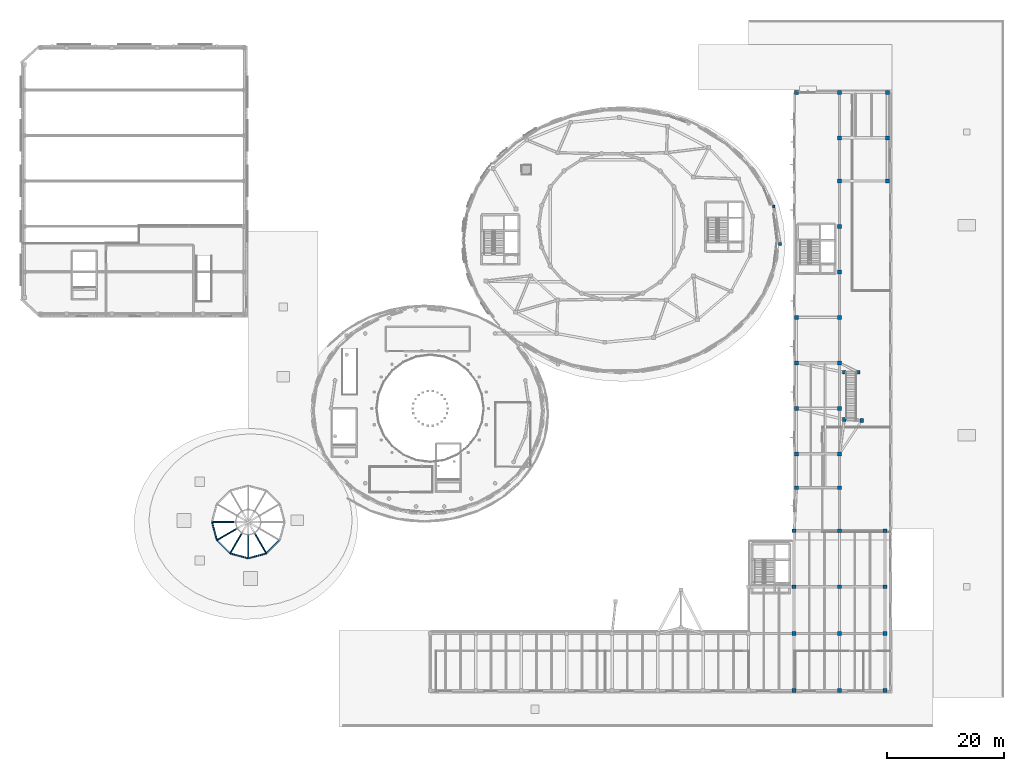
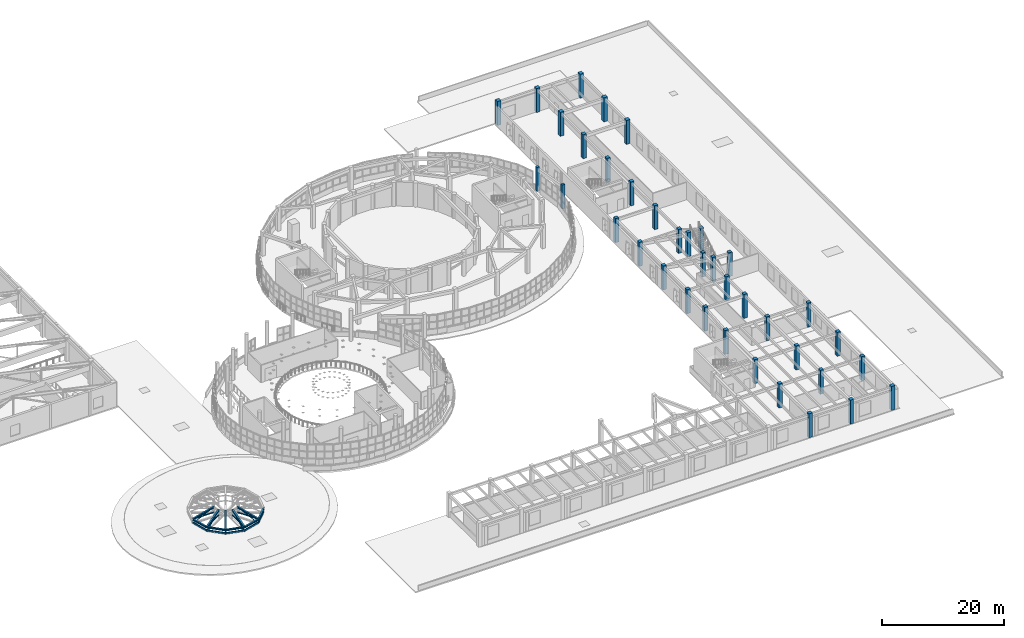
# One storey, part 2 of 105: 37 columns, 15 beams, 10 members.
"""IFC4 building model written with IfcOpenShell, lengths in metres."""

from ifc_helpers import new_model, si_unit, direction, frame, origin, origin_2d, place, context, subcontext, project, spatial, rectangle, hollow_rectangle, hollow_circle, i_section, extrude, material, material_profile, profile_set, type_object, element, save


model = new_model("IFC4")

# Units and contexts
model_context = context("Model", 3, precision=1e-05, world=origin(), true_north=direction((0.0, 1.0)))
body_context = subcontext(model_context, "Body", "Model", "MODEL_VIEW")
ifc_project = project(units=[si_unit("LENGTHUNIT", "METRE"), si_unit("AREAUNIT", "SQUARE_METRE"), si_unit("VOLUMEUNIT", "CUBIC_METRE"), si_unit("PLANEANGLEUNIT", "RADIAN"), si_unit("MASSUNIT", "GRAM", prefix="KILO")], contexts=[model_context])

# Site, building, storey
site_placement = place(None, origin())
site = spatial("IfcSite", under=ifc_project, at=site_placement, CompositionType="ELEMENT")
building_placement = place(site_placement, origin())
building = spatial("IfcBuilding", under=site, at=building_placement, Name="Pelvatis Terrace Science Centre", CompositionType="ELEMENT")
storey_placement = place(building_placement, frame((0.0, 0.0, 10.199951171875)))
storey = spatial("IfcBuildingStorey", under=building, at=storey_placement, Name="L02", CompositionType="ELEMENT", Elevation=10.199951171875)

# Columns
ifc_material_1 = material(Name="Concrete C40/50", Category="concrete")
ifc_material_profile_1 = material_profile(ifc_material_1, rectangle(XDim=0.5, YDim=0.5, at=origin_2d()), Name="RC-COL 500x500")
ifc_profile_set_1 = profile_set([ifc_material_profile_1], Name="Concrete C40/50")
column_type_1 = type_object("IfcColumnType", Name="COL-RC-500x500", PredefinedType="COLUMN", material=ifc_profile_set_1)
for number, where, z_axis, x_axis, name in (
    (1, (138.0, 82.800048828125, 0.0), (0.0, 0.0, 1.0), (1.0, 0.0, 0.0), "Column V1E-ST-01 (L02)"),
    (2, (136.910400390625, 89.1953125, 0.0), (0.0, 0.0, 1.0), (1.0, 0.0, 0.0), "Column V1E-ST-02 (L02)"),
):
    element("IfcColumn", number, at=place(storey_placement, frame(where, z_axis=z_axis, x_axis=x_axis)), inside=storey, type_object=column_type_1, Name=name, PredefinedType="COLUMN", context=body_context, shape_type="SweptSolid", body=[
        extrude(rectangle(XDim=0.5, YDim=0.5, at=origin_2d()), origin(), (0.0, 0.0, 1.0), 4.800048828125),
    ])
ifc_material_2 = material(Name="Concrete C40/50", Category="concrete")
ifc_material_profile_2 = material_profile(ifc_material_2, rectangle(XDim=0.64990234375, YDim=0.64990234375, at=origin_2d()), Name="RC-COL 650x650")
ifc_profile_set_2 = profile_set([ifc_material_profile_2], Name="Concrete C40/50")
column_type_2 = type_object("IfcColumnType", Name="COL-RC-650x650", PredefinedType="COLUMN", material=ifc_profile_set_2)
for number, where, z_axis, x_axis, name in (
    (3, (140.39990234375, 6.199951171875, 0.0), (0.0, 0.0, 1.0), (1.0, 0.0, 0.0), "Column V5G-S-11-2 (L02)"),
    (4, (140.39990234375, 16.0, 0.0), (0.0, 0.0, 1.0), (1.0, 0.0, 0.0), "Column V5G-S-11-3 (L02)"),
    (5, (140.39990234375, 24.0, 0.0), (0.0, 0.0, 1.0), (1.0, 0.0, 0.0), "Column V5G-S-11-4 (L02)"),
    (6, (140.39990234375, 33.60009765625, 0.0), (0.0, 0.0, 1.0), (1.0, 0.0, 0.0), "Column V5G-S-11-5 (L02)"),
    (7, (148.199951171875, 6.199951171875, 0.0), (0.0, 0.0, 1.0), (1.0, 0.0, 0.0), "Column V5G-S-12-2 (L02)"),
    (8, (148.199951171875, 16.0, 0.0), (0.0, 0.0, 1.0), (1.0, 0.0, 0.0), "Column V5G-S-12-3 (L02)"),
    (9, (148.199951171875, 24.0, 0.0), (0.0, 0.0, 1.0), (1.0, 0.0, 0.0), "Column V5G-S-12-4 (L02)"),
    (10, (148.199951171875, 33.60009765625, 0.0), (0.0, 0.0, 1.0), (1.0, 0.0, 0.0), "Column V5G-S-12-5 (L02)"),
    (11, (156.0, 6.199951171875, 0.0), (0.0, 0.0, 1.0), (1.0, 0.0, 0.0), "Column V5G-S-13-2 (L02)"),
    (12, (156.0, 16.0, 0.0), (0.0, 0.0, 1.0), (1.0, 0.0, 0.0), "Column V5G-S-13-3 (L02)"),
    (13, (156.0, 24.0, 0.0), (0.0, 0.0, 1.0), (1.0, 0.0, 0.0), "Column V5G-S-13-4 (L02)"),
    (14, (156.0, 33.60009765625, 0.0), (0.0, 0.0, 1.0), (1.0, 0.0, 0.0), "Column V5G-S-13-5 (L02)"),
    (15, (140.800048828125, 41.0, 0.0), (0.0, 0.0, 1.0), (1.0, 0.0, 0.0), "Column V5G-E-2-1 (L02)"),
    (16, (140.800048828125, 46.800048828125, 0.0), (0.0, 0.0, 1.0), (1.0, 0.0, 0.0), "Column V5G-E-2-2 (L02)"),
    (17, (140.800048828125, 54.60009765625, 0.0), (0.0, 0.0, 1.0), (1.0, 0.0, 0.0), "Column V5G-E-2-3 (L02)"),
    (18, (140.800048828125, 62.39990234375, 0.0), (0.0, 0.0, 1.0), (1.0, 0.0, 0.0), "Column V5G-E-2-4 (L02)"),
    (19, (140.800048828125, 70.199951171875, 0.0), (0.0, 0.0, 1.0), (1.0, 0.0, 0.0), "Column V5G-E-2-5 (L02)"),
    (20, (148.199951171875, 41.0, 0.0), (0.0, 0.0, 1.0), (1.0, 0.0, 0.0), "Column V5G-E-3-1 (L02)"),
    (21, (148.199951171875, 46.800048828125, 0.0), (0.0, 0.0, 1.0), (1.0, 0.0, 0.0), "Column V5G-E-3-2 (L02)"),
    (22, (148.199951171875, 54.60009765625, 0.0), (0.0, 0.0, 1.0), (1.0, 0.0, 0.0), "Column V5G-E-3-3 (L02)"),
    (23, (148.199951171875, 62.39990234375, 0.0), (0.0, 0.0, 1.0), (1.0, 0.0, 0.0), "Column V5G-E-3-4 (L02)"),
    (24, (148.199951171875, 70.199951171875, 0.0), (0.0, 0.0, 1.0), (1.0, 0.0, 0.0), "Column V5G-E-3-5 (L02)"),
    (25, (148.199951171875, 78.0, 0.0), (0.0, 0.0, 1.0), (1.0, 0.0, 0.0), "Column V5G-E-3-6 (L02)"),
    (26, (148.199951171875, 85.800048828125, 0.0), (0.0, 0.0, 1.0), (1.0, 0.0, 0.0), "Column V5G-E-3-7 (L02)"),
    (27, (152.0, 52.5, 0.0), (0.0, 0.0, 1.0), (1.0, 0.0, 0.0), "Column SUPR2-21 (L02)"),
    (28, (149.0, 52.699951171875, 0.0), (0.0, 0.0, 1.0), (1.0, 0.0, 0.0), "Column SUPR2-35 (L02)"),
    (29, (149.0, 60.800048828125, 0.0), (0.0, 0.0, 1.0), (1.0, 0.0, 0.0), "Column SUPR2-37 (L02)"),
    (30, (151.39990234375, 60.800048828125, 0.0), (0.0, 0.0, 1.0), (1.0, 0.0, 0.0), "Column SUPR2-38 (L02)"),
):
    element("IfcColumn", number, at=place(storey_placement, frame(where, z_axis=z_axis, x_axis=x_axis)), inside=storey, type_object=column_type_2, Name=name, PredefinedType="COLUMN", context=body_context, shape_type="SweptSolid", body=[
        extrude(rectangle(XDim=0.64990234375, YDim=0.64990234375, at=origin_2d()), origin(), (0.0, 0.0, 1.0), 4.800048828125),
    ])
ifc_material_3 = material(Name="Concrete C40/50", Category="concrete")
ifc_material_profile_3 = material_profile(ifc_material_3, rectangle(XDim=0.699951171875, YDim=0.699951171875, at=origin_2d()), Name="RC-COL 700x700")
ifc_profile_set_3 = profile_set([ifc_material_profile_3], Name="Concrete C40/50")
column_type_3 = type_object("IfcColumnType", Name="COL-RC-700x700", PredefinedType="COLUMN", material=ifc_profile_set_3)
for number, where, z_axis, x_axis, name in (
    (31, (140.800048828125, 108.800048828125, 0.0), (0.0, 0.0, 1.0), (1.0, 0.0, 0.0), "Column V5G-E-2-10 (L02)"),
    (32, (148.199951171875, 93.60009765625, 0.0), (0.0, 0.0, 1.0), (1.0, 0.0, 0.0), "Column V5G-E-3-8 (L02)"),
    (33, (148.199951171875, 101.0, 0.0), (0.0, 0.0, 1.0), (1.0, 0.0, 0.0), "Column V5G-E-3-9 (L02)"),
    (34, (148.199951171875, 108.800048828125, 0.0), (0.0, 0.0, 1.0), (1.0, 0.0, 0.0), "Column V5G-E-3-10 (L02)"),
    (35, (156.39990234375, 93.60009765625, 0.0), (0.0, 0.0, 1.0), (1.0, 0.0, 0.0), "Column V5G-E-4-8 (L02)"),
    (36, (156.39990234375, 101.0, 0.0), (0.0, 0.0, 1.0), (1.0, 0.0, 0.0), "Column V5G-E-4-9 (L02)"),
    (37, (156.39990234375, 108.800048828125, 0.0), (0.0, 0.0, 1.0), (1.0, 0.0, 0.0), "Column V5G-E-4-10 (L02)"),
):
    element("IfcColumn", number, at=place(storey_placement, frame(where, z_axis=z_axis, x_axis=x_axis)), inside=storey, type_object=column_type_3, Name=name, PredefinedType="COLUMN", context=body_context, shape_type="SweptSolid", body=[
        extrude(rectangle(XDim=0.699951171875, YDim=0.699951171875, at=origin_2d()), origin(), (0.0, 0.0, 1.0), 4.800048828125),
    ])

# Beams
ifc_material_4 = material(Name="Structural steel S355", Category="steel")
ifc_material_profile_4 = material_profile(ifc_material_4, hollow_rectangle(XDim=0.199951171875, YDim=0.300048828125, WallThickness=0.010009765625, at=origin_2d()), Name="RHS 300x200x10.0")
ifc_profile_set_4 = profile_set([ifc_material_profile_4], Name="Structural steel S355")
beam_type_1 = type_object("IfcBeamType", Name="BM-OCUL-RHS300", PredefinedType="SPANDREL", material=ifc_profile_set_4)
beam_1_placement = place(storey_placement, frame((40.60009765625, 35.10009765625, 0.25), z_axis=(0.258789317819, -0.9659337912, 0.0), x_axis=(0.9659337912, 0.258789317819, 0.0)))
element("IfcBeam", 38, at=beam_1_placement, inside=storey, type_object=beam_type_1, Name="Entrance oculus steel compression ring 07", PredefinedType="SPANDREL", context=body_context, shape_type="SweptSolid", body=[
    extrude(hollow_rectangle(XDim=0.199951171875, YDim=0.300048828125, WallThickness=0.010009765625, at=origin_2d()), origin(), (0.0, 0.0, 1.0), 3.20947265625),
])
beam_2_placement = place(storey_placement, frame((41.4306640625, 32.0, 0.25), z_axis=(0.707106781187, -0.707106781187, 0.0), x_axis=(0.707106781187, 0.707106781187, 0.0)))
element("IfcBeam", 39, at=beam_2_placement, inside=storey, type_object=beam_type_1, Name="Entrance oculus steel compression ring 08", PredefinedType="SPANDREL", context=body_context, shape_type="SweptSolid", body=[
    extrude(hollow_rectangle(XDim=0.199951171875, YDim=0.300048828125, WallThickness=0.010009765625, at=origin_2d()), origin(), (0.0, 0.0, 1.0), 3.209228515625),
])
beam_3_placement = place(storey_placement, frame((43.699951171875, 29.730712890625, 0.25), z_axis=(0.965914773555, -0.258860290944, 0.0), x_axis=(0.258860290944, 0.965914773555, 0.0)))
element("IfcBeam", 40, at=beam_3_placement, inside=storey, type_object=beam_type_1, Name="Entrance oculus steel compression ring 09", PredefinedType="SPANDREL", context=body_context, shape_type="SweptSolid", body=[
    extrude(hollow_rectangle(XDim=0.199951171875, YDim=0.300048828125, WallThickness=0.010009765625, at=origin_2d()), origin(), (0.0, 0.0, 1.0), 3.20947265625),
])
beam_4_placement = place(storey_placement, frame((46.800048828125, 28.89990234375, 0.25), z_axis=(0.965909675762, 0.25887931217, 0.0), x_axis=(-0.25887931217, 0.965909675762, 0.0)))
element("IfcBeam", 41, at=beam_4_placement, inside=storey, type_object=beam_type_1, Name="Entrance oculus steel compression ring 10", PredefinedType="SPANDREL", context=body_context, shape_type="SweptSolid", body=[
    extrude(hollow_rectangle(XDim=0.199951171875, YDim=0.300048828125, WallThickness=0.010009765625, at=origin_2d()), origin(), (0.0, 0.0, 1.0), 3.209228515625),
])
beam_5_placement = place(storey_placement, frame((49.89990234375, 29.730712890625, 0.25), z_axis=(0.707144815061, 0.707068745266, 0.0), x_axis=(-0.707068745266, 0.707144815061, 0.0)))
element("IfcBeam", 42, at=beam_5_placement, inside=storey, type_object=beam_type_1, Name="Entrance oculus steel compression ring 11", PredefinedType="SPANDREL", context=body_context, shape_type="SweptSolid", body=[
    extrude(hollow_rectangle(XDim=0.199951171875, YDim=0.300048828125, WallThickness=0.010009765625, at=origin_2d()), origin(), (0.0, 0.0, 1.0), 3.20947265625),
])
ifc_material_5 = material(Name="Structural steel S355", Category="steel")
ifc_material_profile_5 = material_profile(ifc_material_5, i_section(OverallWidth=0.300048828125, OverallDepth=0.2900390625, WebThickness=0.008544921875, FlangeThickness=0.013916015625, FilletRadius=0.027099609375, at=origin_2d()), Name="HEA 300")
ifc_profile_set_5 = profile_set([ifc_material_profile_5], Name="Structural steel S355")
beam_type_2 = type_object("IfcBeamType", Name="BM-STL-HEA300", PredefinedType="BEAM", material=ifc_profile_set_5)
beam_6_placement = place(storey_placement, frame((40.60009765625, 35.10009765625, 0.900146484375), z_axis=(0.258789317819, -0.9659337912, 0.0), x_axis=(0.9659337912, 0.258789317819, 0.0)))
element("IfcBeam", 43, at=beam_6_placement, inside=storey, type_object=beam_type_2, Name="Oculus lantern eave ring 07", PredefinedType="BEAM", context=body_context, shape_type="SweptSolid", body=[
    extrude(i_section(OverallWidth=0.300048828125, OverallDepth=0.2900390625, WebThickness=0.008544921875, FlangeThickness=0.013916015625, FilletRadius=0.027099609375, at=origin_2d()), origin(), (0.0, 0.0, 1.0), 3.20947265625),
])
beam_7_placement = place(storey_placement, frame((40.60009765625, 35.10009765625, 0.900146484375), z_axis=(0.967242562692, 0.0, 0.253853944066), x_axis=(0.0, 1.0, 0.0)))
element("IfcBeam", 44, at=beam_7_placement, inside=storey, type_object=beam_type_2, Name="Oculus radial steel rib 07", PredefinedType="BEAM", context=body_context, shape_type="SweptSolid", body=[
    extrude(i_section(OverallWidth=0.300048828125, OverallDepth=0.2900390625, WebThickness=0.008544921875, FlangeThickness=0.013916015625, FilletRadius=0.027099609375, at=origin_2d()), origin(), (0.0, 0.0, 1.0), 4.135498046875),
])
beam_8_placement = place(storey_placement, frame((41.4306640625, 32.0, 0.900146484375), z_axis=(0.707106781187, -0.707106781187, 0.0), x_axis=(0.707106781187, 0.707106781187, 0.0)))
element("IfcBeam", 45, at=beam_8_placement, inside=storey, type_object=beam_type_2, Name="Oculus lantern eave ring 08", PredefinedType="BEAM", context=body_context, shape_type="SweptSolid", body=[
    extrude(i_section(OverallWidth=0.300048828125, OverallDepth=0.2900390625, WebThickness=0.008544921875, FlangeThickness=0.013916015625, FilletRadius=0.027099609375, at=origin_2d()), origin(), (0.0, 0.0, 1.0), 3.209228515625),
])
beam_9_placement = place(storey_placement, frame((41.4306640625, 32.0, 0.900146484375), z_axis=(0.837657331602, 0.483620329867, 0.253853444632), x_axis=(-0.49999894854, 0.866026010844, 0.0)))
element("IfcBeam", 46, at=beam_9_placement, inside=storey, type_object=beam_type_2, Name="Oculus radial steel rib 08", PredefinedType="BEAM", context=body_context, shape_type="SweptSolid", body=[
    extrude(i_section(OverallWidth=0.300048828125, OverallDepth=0.2900390625, WebThickness=0.008544921875, FlangeThickness=0.013916015625, FilletRadius=0.027099609375, at=origin_2d()), origin(), (0.0, 0.0, 1.0), 4.135498046875),
])
beam_10_placement = place(storey_placement, frame((43.699951171875, 29.730712890625, 0.900146484375), z_axis=(0.965914773555, -0.258860290944, 0.0), x_axis=(0.258860290944, 0.965914773555, 0.0)))
element("IfcBeam", 47, at=beam_10_placement, inside=storey, type_object=beam_type_2, Name="Oculus lantern eave ring 09", PredefinedType="BEAM", context=body_context, shape_type="SweptSolid", body=[
    extrude(i_section(OverallWidth=0.300048828125, OverallDepth=0.2900390625, WebThickness=0.008544921875, FlangeThickness=0.013916015625, FilletRadius=0.027099609375, at=origin_2d()), origin(), (0.0, 0.0, 1.0), 3.20947265625),
])
beam_11_placement = place(storey_placement, frame((43.699951171875, 29.730712890625, 0.900146484375), z_axis=(0.483644246634, 0.837639718169, 0.253865998599), x_axis=(-0.866010750942, 0.50002537861, 0.0)))
element("IfcBeam", 48, at=beam_11_placement, inside=storey, type_object=beam_type_2, Name="Oculus radial steel rib 09", PredefinedType="BEAM", context=body_context, shape_type="SweptSolid", body=[
    extrude(i_section(OverallWidth=0.300048828125, OverallDepth=0.2900390625, WebThickness=0.008544921875, FlangeThickness=0.013916015625, FilletRadius=0.027099609375, at=origin_2d()), origin(), (0.0, 0.0, 1.0), 4.13525390625),
])
beam_12_placement = place(storey_placement, frame((46.800048828125, 28.89990234375, 0.900146484375), z_axis=(0.965909675762, 0.25887931217, 0.0), x_axis=(-0.25887931217, 0.965909675762, 0.0)))
element("IfcBeam", 49, at=beam_12_placement, inside=storey, type_object=beam_type_2, Name="Oculus lantern eave ring 10", PredefinedType="BEAM", context=body_context, shape_type="SweptSolid", body=[
    extrude(i_section(OverallWidth=0.300048828125, OverallDepth=0.2900390625, WebThickness=0.008544921875, FlangeThickness=0.013916015625, FilletRadius=0.027099609375, at=origin_2d()), origin(), (0.0, 0.0, 1.0), 3.209228515625),
])
beam_13_placement = place(storey_placement, frame((46.800048828125, 28.89990234375, 0.900146484375), z_axis=(0.0, 0.967242562692, 0.253853944066), x_axis=(-1.0, 0.0, 0.0)))
element("IfcBeam", 50, at=beam_13_placement, inside=storey, type_object=beam_type_2, Name="Oculus radial steel rib 10", PredefinedType="BEAM", context=body_context, shape_type="SweptSolid", body=[
    extrude(i_section(OverallWidth=0.300048828125, OverallDepth=0.2900390625, WebThickness=0.008544921875, FlangeThickness=0.013916015625, FilletRadius=0.027099609375, at=origin_2d()), origin(), (0.0, 0.0, 1.0), 4.135498046875),
])
beam_14_placement = place(storey_placement, frame((49.89990234375, 29.730712890625, 0.900146484375), z_axis=(0.707144815061, 0.707068745266, 0.0), x_axis=(-0.707068745266, 0.707144815061, 0.0)))
element("IfcBeam", 51, at=beam_14_placement, inside=storey, type_object=beam_type_2, Name="Oculus lantern eave ring 11", PredefinedType="BEAM", context=body_context, shape_type="SweptSolid", body=[
    extrude(i_section(OverallWidth=0.300048828125, OverallDepth=0.2900390625, WebThickness=0.008544921875, FlangeThickness=0.013916015625, FilletRadius=0.027099609375, at=origin_2d()), origin(), (0.0, 0.0, 1.0), 3.20947265625),
])
beam_15_placement = place(storey_placement, frame((49.89990234375, 29.730712890625, 0.900146484375), z_axis=(-0.483644246634, 0.837639718169, 0.253865998599), x_axis=(-0.866010750942, -0.50002537861, 0.0)))
element("IfcBeam", 52, at=beam_15_placement, inside=storey, type_object=beam_type_2, Name="Oculus radial steel rib 11", PredefinedType="BEAM", context=body_context, shape_type="SweptSolid", body=[
    extrude(i_section(OverallWidth=0.300048828125, OverallDepth=0.2900390625, WebThickness=0.008544921875, FlangeThickness=0.013916015625, FilletRadius=0.027099609375, at=origin_2d()), origin(), (0.0, 0.0, 1.0), 4.13525390625),
])

# Members
ifc_material_6 = material(Name="Structural steel S355", Category="steel")
ifc_material_profile_6 = material_profile(ifc_material_6, hollow_circle(Radius=0.06982421875, WallThickness=0.0048828125, at=origin_2d()), Name="CHS 139.7x5.0")
ifc_profile_set_6 = profile_set([ifc_material_profile_6], Name="Structural steel S355")
member_type_1 = type_object("IfcMemberType", Name="MEM-BRC-CHS140", PredefinedType="BRACE", material=ifc_profile_set_6)
for number, where, z_axis, x_axis, name in (
    (53, (40.60009765625, 35.10009765625, 0.050048828125), (0.903286050932, 0.0, 0.429038821311), (0.0, 1.0, 0.0), "Oculus lantern truss diagonal 07"),
    (54, (41.4306640625, 32.0, 0.050048828125), (0.782269518151, 0.451642250525, 0.429038085154), (-0.49999894854, 0.866026010844, 0.0), "Oculus lantern truss diagonal 08"),
):
    element("IfcMember", number, at=place(storey_placement, frame(where, z_axis=z_axis, x_axis=x_axis)), inside=storey, type_object=member_type_1, Name=name, PredefinedType="BRACE", context=body_context, shape_type="SweptSolid", body=[
        extrude(hollow_circle(Radius=0.06982421875, WallThickness=0.0048828125, at=origin_2d()), origin(), (0.0, 0.0, 1.0), 4.42822265625),
    ])
member_1_placement = place(storey_placement, frame((43.699951171875, 29.730712890625, 0.050048828125), z_axis=(0.451661729602, 0.782248122509, 0.429056589326), x_axis=(-0.866010750942, 0.50002537861, 0.0)))
element("IfcMember", 55, at=member_1_placement, inside=storey, type_object=member_type_1, Name="Oculus lantern truss diagonal 09", PredefinedType="BRACE", context=body_context, shape_type="SweptSolid", body=[
    extrude(hollow_circle(Radius=0.06982421875, WallThickness=0.0048828125, at=origin_2d()), origin(), (0.0, 0.0, 1.0), 4.427978515625),
])
member_2_placement = place(storey_placement, frame((46.800048828125, 28.89990234375, 0.050048828125), z_axis=(0.0, 0.903286050932, 0.429038821311), x_axis=(-1.0, 0.0, 0.0)))
element("IfcMember", 56, at=member_2_placement, inside=storey, type_object=member_type_1, Name="Oculus lantern truss diagonal 10", PredefinedType="BRACE", context=body_context, shape_type="SweptSolid", body=[
    extrude(hollow_circle(Radius=0.06982421875, WallThickness=0.0048828125, at=origin_2d()), origin(), (0.0, 0.0, 1.0), 4.42822265625),
])
member_3_placement = place(storey_placement, frame((49.89990234375, 29.730712890625, 0.050048828125), z_axis=(-0.451661729602, 0.782248122509, 0.429056589326), x_axis=(-0.866010750942, -0.50002537861, 0.0)))
element("IfcMember", 57, at=member_3_placement, inside=storey, type_object=member_type_1, Name="Oculus lantern truss diagonal 11", PredefinedType="BRACE", context=body_context, shape_type="SweptSolid", body=[
    extrude(hollow_circle(Radius=0.06982421875, WallThickness=0.0048828125, at=origin_2d()), origin(), (0.0, 0.0, 1.0), 4.427978515625),
])
ifc_material_7 = material(Name="Structural steel S355", Category="steel")
ifc_material_profile_7 = material_profile(ifc_material_7, hollow_circle(Radius=0.122314453125, WallThickness=0.010009765625, at=origin_2d()), Name="CHS 244.5x10.0")
ifc_profile_set_7 = profile_set([ifc_material_profile_7], Name="Structural steel S355")
member_type_2 = type_object("IfcMemberType", Name="MEM-CHD-CHS244", PredefinedType="CHORD", material=ifc_profile_set_7)
for number, where, z_axis, x_axis, name in (
    (58, (40.60009765625, 35.10009765625, 0.900146484375), (1.0, 0.0, 0.0), (0.0, 1.0, 0.0), "Oculus radial bottom chord 07"),
    (59, (41.4306640625, 32.0, 0.900146484375), (0.866026010844, 0.49999894854, 0.0), (-0.49999894854, 0.866026010844, 0.0), "Oculus radial bottom chord 08"),
):
    element("IfcMember", number, at=place(storey_placement, frame(where, z_axis=z_axis, x_axis=x_axis)), inside=storey, type_object=member_type_2, Name=name, PredefinedType="CHORD", context=body_context, shape_type="SweptSolid", body=[
        extrude(hollow_circle(Radius=0.122314453125, WallThickness=0.010009765625, at=origin_2d()), origin(), (0.0, 0.0, 1.0), 4.0),
    ])
member_4_placement = place(storey_placement, frame((43.699951171875, 29.730712890625, 0.900146484375), z_axis=(0.50002537861, 0.866010750942, 0.0), x_axis=(-0.866010750942, 0.50002537861, 0.0)))
element("IfcMember", 60, at=member_4_placement, inside=storey, type_object=member_type_2, Name="Oculus radial bottom chord 09", PredefinedType="CHORD", context=body_context, shape_type="SweptSolid", body=[
    extrude(hollow_circle(Radius=0.122314453125, WallThickness=0.010009765625, at=origin_2d()), origin(), (0.0, 0.0, 1.0), 3.999755859375),
])
member_5_placement = place(storey_placement, frame((46.800048828125, 28.89990234375, 0.900146484375), z_axis=(0.0, 1.0, 0.0), x_axis=(-1.0, 0.0, 0.0)))
element("IfcMember", 61, at=member_5_placement, inside=storey, type_object=member_type_2, Name="Oculus radial bottom chord 10", PredefinedType="CHORD", context=body_context, shape_type="SweptSolid", body=[
    extrude(hollow_circle(Radius=0.122314453125, WallThickness=0.010009765625, at=origin_2d()), origin(), (0.0, 0.0, 1.0), 4.0),
])
member_6_placement = place(storey_placement, frame((49.89990234375, 29.730712890625, 0.900146484375), z_axis=(-0.50002537861, 0.866010750942, 0.0), x_axis=(-0.866010750942, -0.50002537861, 0.0)))
element("IfcMember", 62, at=member_6_placement, inside=storey, type_object=member_type_2, Name="Oculus radial bottom chord 11", PredefinedType="CHORD", context=body_context, shape_type="SweptSolid", body=[
    extrude(hollow_circle(Radius=0.122314453125, WallThickness=0.010009765625, at=origin_2d()), origin(), (0.0, 0.0, 1.0), 3.999755859375),
])

save(model, "model.ifc")
